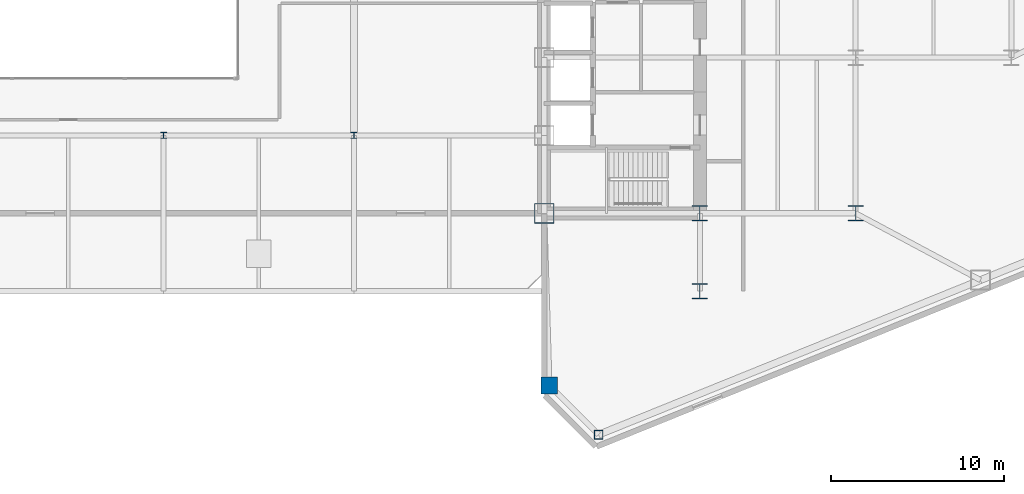
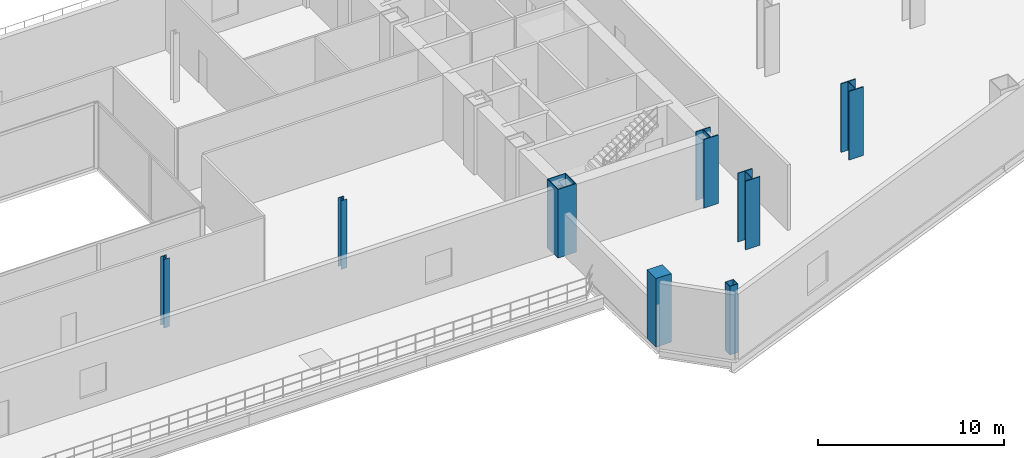
# One storey, part 5 of 23: 8 columns.
"""IFC4 building model written with IfcOpenShell, lengths in metres."""

from ifc_helpers import new_model, si_unit, direction, frame, origin, origin_2d, place, context, subcontext, project, spatial, rectangle, hollow_rectangle, i_section, extrude, source, transform, mapped, material, material_profile, profile_set, type_object, type_shapes, element, save


model = new_model("IFC4")

# Units and contexts
model_context = context("Model", 3, precision=1e-05, world=origin(), true_north=direction((0.0, 1.0)))
body_context = subcontext(model_context, "Body", "Model", "MODEL_VIEW")
ifc_project = project(units=[si_unit("LENGTHUNIT", "METRE"), si_unit("AREAUNIT", "SQUARE_METRE"), si_unit("VOLUMEUNIT", "CUBIC_METRE"), si_unit("PLANEANGLEUNIT", "RADIAN"), si_unit("MASSUNIT", "GRAM", prefix="KILO")], contexts=[model_context])

# Site, building, storey
site_placement = place(None, origin())
site = spatial("IfcSite", under=ifc_project, at=site_placement, CompositionType="ELEMENT")
building_placement = place(site_placement, origin())
building = spatial("IfcBuilding", under=site, at=building_placement, Name="Seokmaru Belvedere", CompositionType="ELEMENT")
storey_placement = place(building_placement, frame((0.0, 0.0, 14.39990234375)))
storey = spatial("IfcBuildingStorey", under=building, at=storey_placement, Name="L03", CompositionType="ELEMENT", Elevation=14.39990234375)

# Columns
ifc_material_1 = material(Name="Steel HSA650 (650 MPa)", Category="steel")
ifc_material_profile_1 = material_profile(ifc_material_1, hollow_rectangle(XDim=1.14990234375, YDim=1.14990234375, WallThickness=0.048095703125, at=origin_2d()), Name="BOX-1150x1150x48")
ifc_profile_set_1 = profile_set([ifc_material_profile_1], Name="Steel HSA650 (650 MPa)")
column_type_1 = type_object("IfcColumnType", Name="Portal Spine Column BOX-1150", PredefinedType="COLUMN", material=ifc_profile_set_1)
shared_shape_1 = source(origin(), body_context, "Body", "SweptSolid", [
    extrude(hollow_rectangle(XDim=1.14990234375, YDim=1.14990234375, WallThickness=0.048095703125, at=origin_2d()), origin(), (0.0, 0.0, 1.0), 4.5),
])
type_shapes(column_type_1, [shared_shape_1])
column_1_placement = place(storey_placement, frame((27.5, -13.5, 0.0), z_axis=(0.0, 0.0, 1.0), x_axis=(1.0, 0.0, 0.0)))
element("IfcColumn", 1, at=column_1_placement, inside=storey, type_object=column_type_1, Name="L03 Column ES1", PredefinedType="COLUMN", context=body_context, shape_type="MappedRepresentation", body=[
    mapped(shared_shape_1, transform((0.0, 0.0, 0.0), scale=1.0)),
])
ifc_material_profile_2 = material_profile(ifc_material_1, i_section(OverallWidth=0.89990234375, OverallDepth=0.89990234375, WebThickness=0.035888671875, FlangeThickness=0.054931640625, at=origin_2d()), Name="H-900x900x36x55")
ifc_profile_set_2 = profile_set([ifc_material_profile_2], Name="Steel HSA650 (650 MPa)")
column_type_2 = type_object("IfcColumnType", Name="Lower Interior Column H-900", PredefinedType="COLUMN", material=ifc_profile_set_2)
shared_shape_2 = source(origin(), body_context, "Body", "SweptSolid", [
    extrude(i_section(OverallWidth=0.89990234375, OverallDepth=0.89990234375, WebThickness=0.035888671875, FlangeThickness=0.054931640625, at=origin_2d()), origin(), (0.0, 0.0, 1.0), 4.5),
])
type_shapes(column_type_2, [shared_shape_2])
for number, where, z_axis, x_axis, name in (
    (2, (36.5, -18.0, 0.0), (0.0, 0.0, 1.0), (1.0, 0.0, 0.0), "L03 Column EC1"),
    (3, (36.5, -13.5, 0.0), (0.0, 0.0, 1.0), (1.0, 0.0, 0.0), "L03 Column EC2"),
    (4, (45.5, -13.5, 0.0), (0.0, 0.0, 1.0), (1.0, 0.0, 0.0), "L03 Column EG5_1"),
):
    element("IfcColumn", number, at=place(storey_placement, frame(where, z_axis=z_axis, x_axis=x_axis)), inside=storey, type_object=column_type_2, Name=name, PredefinedType="COLUMN", context=body_context, shape_type="MappedRepresentation", body=[
        mapped(shared_shape_2, transform((0.0, 0.0, 0.0), scale=1.0)),
    ])
ifc_material_2 = material(Name="Steel SM355 (355 MPa)", Category="steel")
ifc_material_profile_3 = material_profile(ifc_material_2, hollow_rectangle(XDim=0.5, YDim=0.5, WallThickness=0.02001953125, at=origin_2d()), Name="HSS-500x500x20")
ifc_profile_set_3 = profile_set([ifc_material_profile_3], Name="Steel SM355 (355 MPa)")
column_type_3 = type_object("IfcColumnType", Name="Perimeter Facet Column HSS-500", PredefinedType="COLUMN", material=ifc_profile_set_3)
shared_shape_3 = source(origin(), body_context, "Body", "SweptSolid", [
    extrude(hollow_rectangle(XDim=0.5, YDim=0.5, WallThickness=0.02001953125, at=origin_2d()), origin(), (0.0, 0.0, 1.0), 4.5),
])
type_shapes(column_type_3, [shared_shape_3])
column_2_placement = place(storey_placement, frame((30.643310546875, -26.294677734375, 0.0), z_axis=(0.0, 0.0, 1.0), x_axis=(1.0, 0.0, 0.0)))
element("IfcColumn", 5, at=column_2_placement, inside=storey, type_object=column_type_3, Name="L03 Column EF1", PredefinedType="COLUMN", context=body_context, shape_type="MappedRepresentation", body=[
    mapped(shared_shape_3, transform((0.0, 0.0, 0.0), scale=1.0)),
])
ifc_material_profile_4 = material_profile(ifc_material_2, i_section(OverallWidth=0.35009765625, OverallDepth=0.35009765625, WebThickness=0.011962890625, FlangeThickness=0.01904296875, at=origin_2d()), Name="H-350x350x12x19")
ifc_profile_set_4 = profile_set([ifc_material_profile_4], Name="Steel SM355 (355 MPa)")
column_type_4 = type_object("IfcColumnType", Name="Podium Gallery Column H-350", PredefinedType="COLUMN", material=ifc_profile_set_4)
shared_shape_4 = source(origin(), body_context, "Body", "SweptSolid", [
    extrude(i_section(OverallWidth=0.35009765625, OverallDepth=0.35009765625, WebThickness=0.011962890625, FlangeThickness=0.01904296875, at=origin_2d()), origin(), (0.0, 0.0, 1.0), 4.5),
])
type_shapes(column_type_4, [shared_shape_4])
for number, where, z_axis, x_axis, name in (
    (6, (5.5, -9.0, 0.0), (0.0, 0.0, 1.0), (1.0, 0.0, 0.0), "L03 Column CP3_3"),
    (7, (16.5, -9.0, 0.0), (0.0, 0.0, 1.0), (1.0, 0.0, 0.0), "L03 Column CP4_3"),
):
    element("IfcColumn", number, at=place(storey_placement, frame(where, z_axis=z_axis, x_axis=x_axis)), inside=storey, type_object=column_type_4, Name=name, PredefinedType="COLUMN", context=body_context, shape_type="MappedRepresentation", body=[
        mapped(shared_shape_4, transform((0.0, 0.0, 0.0), scale=1.0)),
    ])
ifc_material_3 = material(Name="Concrete C50 (50 MPa)", Category="concrete")
ifc_material_profile_5 = material_profile(ifc_material_3, rectangle(XDim=0.9599609375, YDim=0.9599609375, at=origin_2d()), Name="RC-960x960")
ifc_profile_set_5 = profile_set([ifc_material_profile_5], Name="Concrete C50 (50 MPa)")
column_type_5 = type_object("IfcColumnType", Name="Upper Podium Terrace Column RC-960", PredefinedType="COLUMN", material=ifc_profile_set_5)
shared_shape_5 = source(origin(), body_context, "Body", "SweptSolid", [
    extrude(rectangle(XDim=0.9599609375, YDim=0.9599609375, at=origin_2d()), origin(), (0.0, 0.0, 1.0), 4.5),
])
type_shapes(column_type_5, [shared_shape_5])
column_3_placement = place(storey_placement, frame((27.800048828125, -23.451416015625, 0.0), z_axis=(0.0, 0.0, 1.0), x_axis=(1.0, 0.0, 0.0)))
element("IfcColumn", 8, at=column_3_placement, inside=storey, type_object=column_type_5, Name="L03 Column EPM_S", PredefinedType="COLUMN", context=body_context, shape_type="MappedRepresentation", body=[
    mapped(shared_shape_5, transform((0.0, 0.0, 0.0), scale=1.0)),
])

save(model, "model.ifc")
